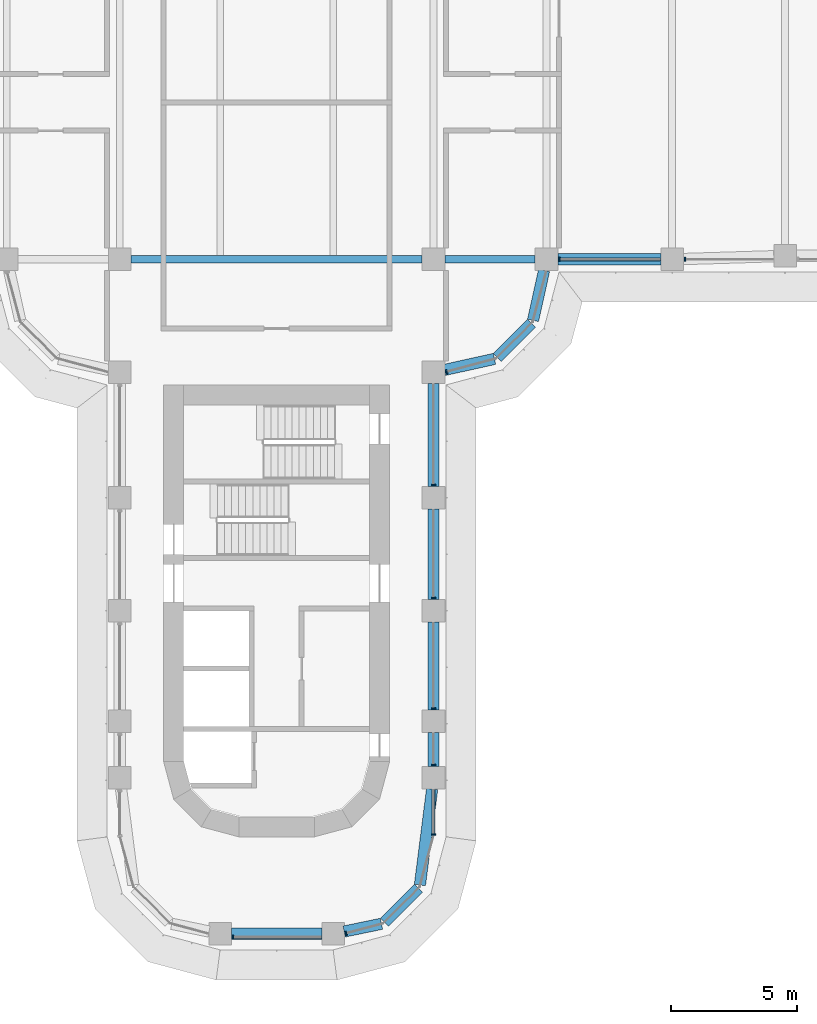
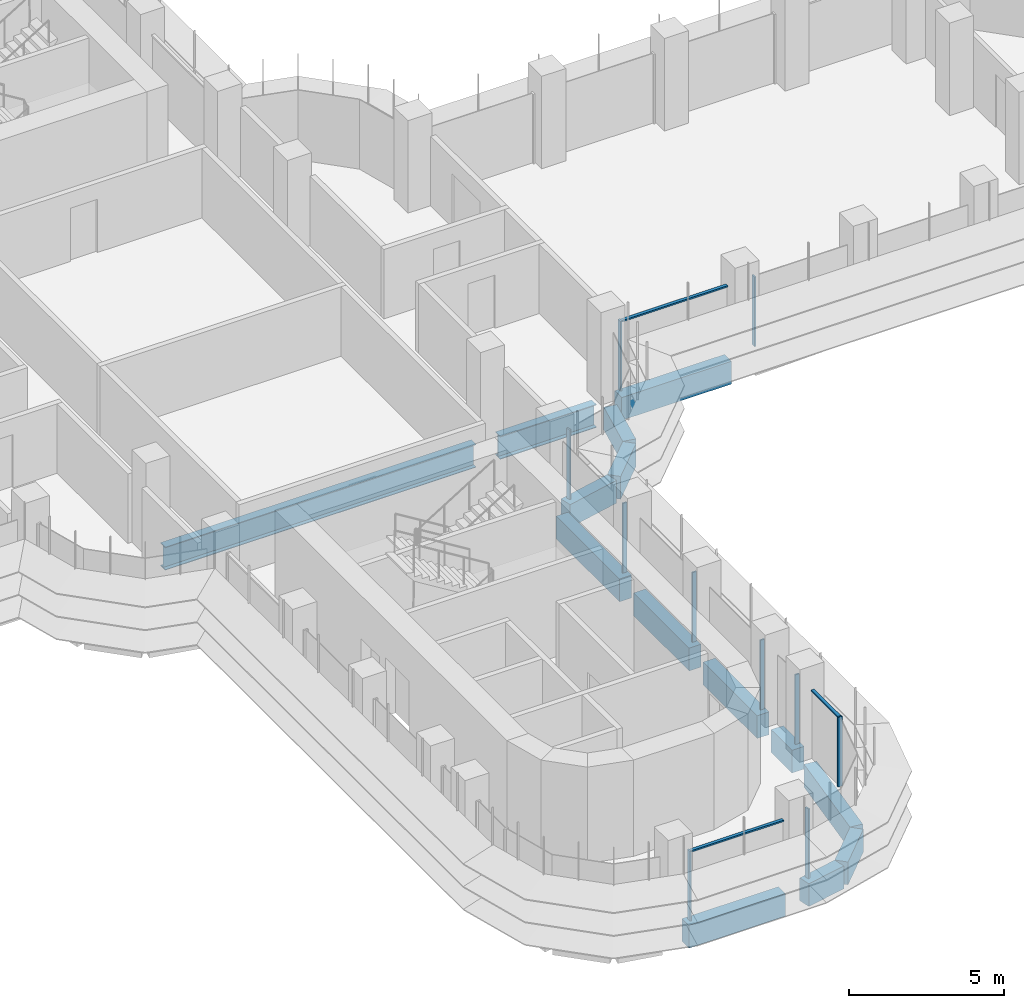
# One storey, part 4 of 21: 14 beams, 13 members, 5 elements without a shape of their own.
"""IFC4 building model written with IfcOpenShell, lengths in metres."""

from ifc_helpers import new_model, si_unit, direction, frame, origin, origin_2d, place, context, subcontext, project, spatial, polyline, rectangle, i_section, outline, extrude, source, transform, mapped, material, material_profile, profile_set, type_object, element, aggregate, save


model = new_model("IFC4")

# Units and contexts
model_context = context("Model", 3, precision=1e-05, world=origin(), true_north=direction((0.0, 1.0)))
body_context = subcontext(model_context, "Body", "Model", "MODEL_VIEW")
ifc_project = project(units=[si_unit("LENGTHUNIT", "METRE"), si_unit("AREAUNIT", "SQUARE_METRE"), si_unit("VOLUMEUNIT", "CUBIC_METRE"), si_unit("PLANEANGLEUNIT", "RADIAN"), si_unit("MASSUNIT", "GRAM", prefix="KILO")], contexts=[model_context])

# Site, building, storey
site_placement = place(None, origin())
site = spatial("IfcSite", under=ifc_project, at=site_placement, CompositionType="ELEMENT")
building_placement = place(site_placement, origin())
building = spatial("IfcBuilding", under=site, at=building_placement, Name="Zarbagh Exchange Tower", CompositionType="ELEMENT")
storey_placement = place(building_placement, frame((0.0, 0.0, 120.800048828125)))
storey = spatial("IfcBuildingStorey", under=building, at=storey_placement, Name="L28", CompositionType="ELEMENT", Elevation=120.800048828125)

# Beams
ifc_material_1 = material(Name="Steel ASTM A992 Gr 50", Category="steel")
ifc_material_profile_1 = material_profile(ifc_material_1, i_section(OverallWidth=0.3046875, OverallDepth=0.911865234375, WebThickness=0.015869140625, FlangeThickness=0.02392578125, at=origin_2d()), Name="W36X150")
ifc_profile_set_1 = profile_set([ifc_material_profile_1], Name="Steel ASTM A992 Gr 50")
beam_type_1 = type_object("IfcBeamType", Name="Floor girder W36X150", PredefinedType="BEAM", material=ifc_profile_set_1)
beam_1_placement = place(storey_placement, frame((-5.800048828125, -6.25, -0.60595703125), z_axis=(1.0, 0.0, 0.0), x_axis=(0.0, 1.0, 0.0)))
element("IfcBeam", 1, at=beam_1_placement, inside=storey, type_object=beam_type_1, Name="Steel girder", PredefinedType="BEAM", context=body_context, shape_type="SweptSolid", body=[
    extrude(i_section(OverallWidth=0.3046875, OverallDepth=0.911865234375, WebThickness=0.015869140625, FlangeThickness=0.02392578125, at=origin_2d()), origin(), (0.0, 0.0, 1.0), 11.60009765625),
])
beam_2_placement = place(storey_placement, frame((6.699951171875, -6.25, -0.60595703125), z_axis=(1.0, 0.0, 0.0), x_axis=(0.0, 1.0, 0.0)))
element("IfcBeam", 2, at=beam_2_placement, inside=storey, type_object=beam_type_1, Name="Steel girder", PredefinedType="BEAM", context=body_context, shape_type="SweptSolid", body=[
    extrude(i_section(OverallWidth=0.3046875, OverallDepth=0.911865234375, WebThickness=0.015869140625, FlangeThickness=0.02392578125, at=origin_2d()), origin(), (0.0, 0.0, 1.0), 3.60009765625),
])
ifc_material_2 = material(Name="Concrete C60/75", Category="concrete")
ifc_material_profile_2 = material_profile(ifc_material_2, rectangle(XDim=0.449951171875, YDim=0.89990234375, at=origin_2d()), Name="RC spandrel beam 450 x 900 C60/75")
ifc_profile_set_2 = profile_set([ifc_material_profile_2], Name="Concrete C60/75")
beam_type_2 = type_object("IfcBeamType", Name="RC spandrel beam 450 x 900 C60/75", PredefinedType="SPANDREL", material=ifc_profile_set_2)
beam_3_placement = place(storey_placement, frame((15.300048828125, -6.25, -0.60009765625), z_axis=(-1.0, 0.0, 0.0), x_axis=(0.0, -1.0, 0.0)))
element("IfcBeam", 3, at=beam_3_placement, inside=storey, type_object=beam_type_2, Name="RC spandrel beam", PredefinedType="SPANDREL", context=body_context, shape_type="SweptSolid", body=[
    extrude(rectangle(XDim=0.449951171875, YDim=0.89990234375, at=origin_2d()), origin(), (0.0, 0.0, 1.0), 4.10009765625),
])
beam_4_placement = place(storey_placement, frame((10.65283203125, -6.689453125, -0.60009765625), z_axis=(-0.216117666208, -0.976367325525, 0.0), x_axis=(0.976367325525, -0.216117666208, 0.0)))
element("IfcBeam", 4, at=beam_4_placement, inside=storey, type_object=beam_type_2, Name="RC spandrel beam", PredefinedType="SPANDREL", context=body_context, shape_type="SweptSolid", body=[
    extrude(rectangle(XDim=0.449951171875, YDim=0.89990234375, at=origin_2d()), origin(), (0.0, 0.0, 1.0), 2.03564453125),
])
beam_5_placement = place(storey_placement, frame((10.15234375, -8.78759765625, -0.60009765625), z_axis=(-0.707106781187, -0.707106781187, 0.0), x_axis=(0.707106781187, -0.707106781187, 0.0)))
element("IfcBeam", 5, at=beam_5_placement, inside=storey, type_object=beam_type_2, Name="RC spandrel beam", PredefinedType="SPANDREL", context=body_context, shape_type="SweptSolid", body=[
    extrude(rectangle(XDim=0.449951171875, YDim=0.89990234375, at=origin_2d()), origin(), (0.0, 0.0, 1.0), 1.929931640625),
])
beam_6_placement = place(storey_placement, frame((8.677001953125, -10.212890625, -0.60009765625), z_axis=(-0.976367325525, -0.216117666208, 0.0), x_axis=(0.216117666208, -0.976367325525, 0.0)))
element("IfcBeam", 6, at=beam_6_placement, inside=storey, type_object=beam_type_2, Name="RC spandrel beam", PredefinedType="SPANDREL", context=body_context, shape_type="SweptSolid", body=[
    extrude(rectangle(XDim=0.449951171875, YDim=0.89990234375, at=origin_2d()), origin(), (0.0, 0.0, 1.0), 2.03564453125),
])
beam_7_placement = place(storey_placement, frame((6.25, -11.199951171875, -0.60009765625), z_axis=(0.0, -1.0, 0.0), x_axis=(1.0, 0.0, 0.0)))
element("IfcBeam", 7, at=beam_7_placement, inside=storey, type_object=beam_type_2, Name="RC spandrel beam", PredefinedType="SPANDREL", context=body_context, shape_type="SweptSolid", body=[
    extrude(rectangle(XDim=0.449951171875, YDim=0.89990234375, at=origin_2d()), origin(), (0.0, 0.0, 1.0), 4.10009765625),
])
beam_8_placement = place(storey_placement, frame((6.25, -16.199951171875, -0.60009765625), z_axis=(0.0, -1.0, 0.0), x_axis=(1.0, 0.0, 0.0)))
element("IfcBeam", 8, at=beam_8_placement, inside=storey, type_object=beam_type_2, Name="RC spandrel beam", PredefinedType="SPANDREL", context=body_context, shape_type="SweptSolid", body=[
    extrude(rectangle(XDim=0.449951171875, YDim=0.89990234375, at=origin_2d()), origin(), (0.0, 0.0, 1.0), 3.60009765625),
])
beam_9_placement = place(storey_placement, frame((6.25, -20.699951171875, -0.60009765625), z_axis=(0.0, -1.0, 0.0), x_axis=(1.0, 0.0, 0.0)))
element("IfcBeam", 9, at=beam_9_placement, inside=storey, type_object=beam_type_2, Name="RC spandrel beam", PredefinedType="SPANDREL", context=body_context, shape_type="SweptSolid", body=[
    extrude(rectangle(XDim=0.449951171875, YDim=0.89990234375, at=origin_2d()), origin(), (0.0, 0.0, 1.0), 3.5),
])
beam_10_placement = place(storey_placement, frame((6.25, -25.10009765625, -0.60009765625), z_axis=(0.0, -1.0, 0.0), x_axis=(1.0, 0.0, 0.0)))
element("IfcBeam", 10, at=beam_10_placement, inside=storey, type_object=beam_type_2, Name="RC spandrel beam", PredefinedType="SPANDREL", context=body_context, shape_type="SweptSolid", body=[
    extrude(rectangle(XDim=0.449951171875, YDim=0.89990234375, at=origin_2d()), origin(), (0.0, 0.0, 1.0), 1.349853515625),
])
beam_11_placement = place(storey_placement, frame((6.193359375, -27.346435546875, -0.60009765625), z_axis=(-0.12597055537, -0.992033980859, 0.0), x_axis=(0.992033980859, -0.12597055537, 0.0)))
element("IfcBeam", 11, at=beam_11_placement, inside=storey, type_object=beam_type_2, Name="RC spandrel beam", PredefinedType="SPANDREL", context=body_context, shape_type="SweptSolid", body=[
    extrude(rectangle(XDim=0.449951171875, YDim=0.89990234375, at=origin_2d()), origin(), (0.0, 0.0, 1.0), 3.84912109375),
])
beam_12_placement = place(storey_placement, frame((5.644287109375, -31.295654296875, -0.60009765625), z_axis=(-0.707106781187, -0.707106781187, 0.0), x_axis=(0.707106781187, -0.707106781187, 0.0)))
element("IfcBeam", 12, at=beam_12_placement, inside=storey, type_object=beam_type_2, Name="RC spandrel beam", PredefinedType="SPANDREL", context=body_context, shape_type="SweptSolid", body=[
    extrude(rectangle(XDim=0.449951171875, YDim=0.89990234375, at=origin_2d()), origin(), (0.0, 0.0, 1.0), 1.9169921875),
])
beam_13_placement = place(storey_placement, frame((4.17529296875, -32.71240234375, -0.60009765625), z_axis=(-0.979328675816, -0.202275417995, 0.0), x_axis=(0.202275417995, -0.979328675816, 0.0)))
element("IfcBeam", 13, at=beam_13_placement, inside=storey, type_object=beam_type_2, Name="RC spandrel beam", PredefinedType="SPANDREL", context=body_context, shape_type="SweptSolid", body=[
    extrude(rectangle(XDim=0.449951171875, YDim=0.89990234375, at=origin_2d()), origin(), (0.0, 0.0, 1.0), 1.515869140625),
])
beam_14_placement = place(storey_placement, frame((1.800048828125, -33.110107421875, -0.60009765625), z_axis=(-1.0, 0.0, 0.0), x_axis=(0.0, -1.0, 0.0)))
element("IfcBeam", 14, at=beam_14_placement, inside=storey, type_object=beam_type_2, Name="RC spandrel beam", PredefinedType="SPANDREL", context=body_context, shape_type="SweptSolid", body=[
    extrude(rectangle(XDim=0.449951171875, YDim=0.89990234375, at=origin_2d()), origin(), (0.0, 0.0, 1.0), 3.60009765625),
])

# Curtain wall, member
ifc_material_3 = material(Name="Anodised aluminium frame and glazing", Category="aluminium")
curtain_wall_type = type_object("IfcCurtainWallType", Name="CWA Ribbon glazing, lower zones", PredefinedType="NOTDEFINED", material=ifc_material_3)
curtain_wall_1_placement = place(storey_placement, origin())
curtain_wall_1 = element("IfcCurtainWall", 15, at=curtain_wall_1_placement, inside=storey, type_object=curtain_wall_type, Name="CWA01 curtain wall", PredefinedType="NOTDEFINED")
ifc_material_4 = material(Name="Anodised aluminium frame", Category="aluminium")
member_type_1 = type_object("IfcMemberType", Name="MUA Mullion, anodised aluminium frame", PredefinedType="MULLION", material=ifc_material_4)
shared_shape_1 = source(origin(), body_context, "Body", "SweptSolid", [
    extrude(outline(polyline([(0.0, -0.080078125), (0.06005859375, -0.080078125), (0.06005859375, 0.080078125), (0.0, 0.080078125), (0.0, -0.080078125)])), origin(), (0.0, 0.0, 1.0), 2.75),
])
placement = place(storey_placement, origin())
member_1 = element("IfcMember", 16, at=placement, type_object=member_type_1, Name="CWA01 mullion 1.1", PredefinedType="MULLION", context=body_context, shape_type="MappedRepresentation", body=[
    mapped(shared_shape_1, transform((2.739990234375, -33.10107421875, 0.0), x_axis=(0.965924289636, 0.258824779902, 0.0), y_axis=(-0.258824779902, 0.965924289636, 0.0), z_axis=(0.0, 0.0, 1.0))),
])
aggregate(curtain_wall_1, [member_1])

# Curtain wall, members
curtain_wall_2_placement = place(storey_placement, origin())
curtain_wall_2 = element("IfcCurtainWall", 17, at=curtain_wall_2_placement, inside=storey, type_object=curtain_wall_type, Name="CWA04 curtain wall", PredefinedType="NOTDEFINED")
member_2 = element("IfcMember", 18, at=placement, type_object=member_type_1, Name="CWA04 mullion 1.1", PredefinedType="MULLION", context=body_context, shape_type="MappedRepresentation", body=[
    mapped(shared_shape_1, transform((6.25, -29.18408203125, 0.0), x_axis=(0.0, 1.0, 0.0), y_axis=(-1.0, 0.0, 0.0), z_axis=(0.0, 0.0, 1.0))),
])
member_3 = element("IfcMember", 19, at=placement, type_object=member_type_1, Name="CWA04 mullion 2.1", PredefinedType="MULLION", context=body_context, shape_type="MappedRepresentation", body=[
    mapped(shared_shape_1, transform((6.25, -26.409912109375, 0.0), x_axis=(0.0, 1.0, 0.0), y_axis=(-1.0, 0.0, 0.0), z_axis=(0.0, 0.0, 1.0))),
])
member_4 = element("IfcMember", 20, at=placement, type_object=member_type_1, Name="CWA04 mullion 3.1", PredefinedType="MULLION", context=body_context, shape_type="MappedRepresentation", body=[
    mapped(shared_shape_1, transform((6.25, -24.159912109375, 0.0), x_axis=(0.0, 1.0, 0.0), y_axis=(-1.0, 0.0, 0.0), z_axis=(0.0, 0.0, 1.0))),
])
member_5 = element("IfcMember", 21, at=placement, type_object=member_type_1, Name="CWA04 mullion 4.1", PredefinedType="MULLION", context=body_context, shape_type="MappedRepresentation", body=[
    mapped(shared_shape_1, transform((6.25, -19.760009765625, 0.0), x_axis=(0.0, 1.0, 0.0), y_axis=(-1.0, 0.0, 0.0), z_axis=(0.0, 0.0, 1.0))),
])
member_6 = element("IfcMember", 22, at=placement, type_object=member_type_1, Name="CWA04 mullion 5.1", PredefinedType="MULLION", context=body_context, shape_type="MappedRepresentation", body=[
    mapped(shared_shape_1, transform((6.25, -15.260009765625, 0.0), x_axis=(0.0, 1.0, 0.0), y_axis=(-1.0, 0.0, 0.0), z_axis=(0.0, 0.0, 1.0))),
])

# Curtain wall, member
curtain_wall_3_placement = place(storey_placement, origin())
curtain_wall_3 = element("IfcCurtainWall", 23, at=curtain_wall_3_placement, inside=storey, type_object=curtain_wall_type, Name="CWA05 curtain wall", PredefinedType="NOTDEFINED")
member_7 = element("IfcMember", 24, at=placement, type_object=member_type_1, Name="CWA05 mullion 1.1", PredefinedType="MULLION", context=body_context, shape_type="MappedRepresentation", body=[
    mapped(shared_shape_1, transform((6.739990234375, -10.735107421875, 0.0), x_axis=(0.965924289636, 0.258824779902, 0.0), y_axis=(-0.258824779902, 0.965924289636, 0.0), z_axis=(0.0, 0.0, 1.0))),
])
aggregate(curtain_wall_3, [member_7])

# Curtain wall, members
curtain_wall_4_placement = place(storey_placement, origin())
curtain_wall_4 = element("IfcCurtainWall", 25, at=curtain_wall_4_placement, inside=storey, type_object=curtain_wall_type, Name="CWA08 curtain wall", PredefinedType="NOTDEFINED")
member_8 = element("IfcMember", 26, at=placement, type_object=member_type_1, Name="CWA08 mullion 1.1", PredefinedType="MULLION", context=body_context, shape_type="MappedRepresentation", body=[
    mapped(shared_shape_1, transform((11.239990234375, -6.25, 0.0), x_axis=(1.0, 0.0, 0.0), y_axis=(0.0, 1.0, 0.0), z_axis=(0.0, 0.0, 1.0))),
])
member_9 = element("IfcMember", 27, at=placement, type_object=member_type_1, Name="CWA08 mullion 2.1", PredefinedType="MULLION", context=body_context, shape_type="MappedRepresentation", body=[
    mapped(shared_shape_1, transform((16.239990234375, -6.25, 0.0), x_axis=(1.0, 0.0, 0.0), y_axis=(0.0, 1.0, 0.0), z_axis=(0.0, 0.0, 1.0))),
])

# Curtain wall, member
curtain_wall_5_placement = place(storey_placement, origin())
curtain_wall_5 = element("IfcCurtainWall", 28, at=curtain_wall_5_placement, inside=storey, type_object=curtain_wall_type, Name="CWA48 curtain wall", PredefinedType="NOTDEFINED")
member_10 = element("IfcMember", 29, at=placement, type_object=member_type_1, Name="CWA48 mullion 1.1", PredefinedType="MULLION", context=body_context, shape_type="MappedRepresentation", body=[
    mapped(shared_shape_1, transform((-1.760009765625, -33.25, 0.0), x_axis=(1.0, 0.0, 0.0), y_axis=(0.0, 1.0, 0.0), z_axis=(0.0, 0.0, 1.0))),
])

# Member
member_type_2 = type_object("IfcMemberType", Name="TRA Transom, anodised aluminium frame", PredefinedType="USERDEFINED", material=ifc_material_4)
shared_shape_2 = source(origin(), body_context, "Body", "SweptSolid", [
    extrude(outline(polyline([(-0.06005859375, -0.06005859375), (0.0, -0.06005859375), (0.0, 0.06005859375), (-0.06005859375, 0.06005859375), (-0.06005859375, -0.06005859375)])), origin(), (0.0, 0.0, 1.0), 1.734130859375),
])
member_11 = element("IfcMember", 30, at=placement, type_object=member_type_2, Name="CWA04 transom 1.1", ObjectType="TRANSOM", PredefinedType="USERDEFINED", context=body_context, shape_type="MappedRepresentation", body=[
    mapped(shared_shape_2, transform((6.25, -29.124267578125, 2.75), x_axis=(0.0, 0.0, 1.0), y_axis=(1.0, 0.0, 0.0), z_axis=(0.0, 1.0, 0.0))),
])

aggregate(curtain_wall_2, [member_2, member_11, member_3, member_4, member_5, member_6])

shared_shape_3 = source(origin(), body_context, "Body", "SweptSolid", [
    extrude(outline(polyline([(-0.06005859375, -0.06005859375), (0.0, -0.06005859375), (0.0, 0.06005859375), (-0.06005859375, 0.06005859375), (-0.06005859375, -0.06005859375)])), origin(), (0.0, 0.0, 1.0), 3.9599609375),
])
member_12 = element("IfcMember", 31, at=placement, type_object=member_type_2, Name="CWA08 transom 1.1", ObjectType="TRANSOM", PredefinedType="USERDEFINED", context=body_context, shape_type="MappedRepresentation", body=[
    mapped(shared_shape_3, transform((11.300048828125, -6.25, 2.75), x_axis=(0.0, 0.0, 1.0), y_axis=(0.0, -1.0, 0.0), z_axis=(1.0, 0.0, 0.0))),
])

aggregate(curtain_wall_4, [member_8, member_12, member_9])

shared_shape_4 = source(origin(), body_context, "Body", "SweptSolid", [
    extrude(outline(polyline([(-0.06005859375, -0.06005859375), (0.0, -0.06005859375), (0.0, 0.06005859375), (-0.06005859375, 0.06005859375), (-0.06005859375, -0.06005859375)])), origin(), (0.0, 0.0, 1.0), 3.4599609375),
])
member_13 = element("IfcMember", 32, at=placement, type_object=member_type_2, Name="CWA48 transom 1.1", ObjectType="TRANSOM", PredefinedType="USERDEFINED", context=body_context, shape_type="MappedRepresentation", body=[
    mapped(shared_shape_4, transform((-1.699951171875, -33.25, 2.75), x_axis=(0.0, 0.0, 1.0), y_axis=(0.0, -1.0, 0.0), z_axis=(1.0, 0.0, 0.0))),
])

aggregate(curtain_wall_5, [member_10, member_13])

save(model, "model.ifc")
